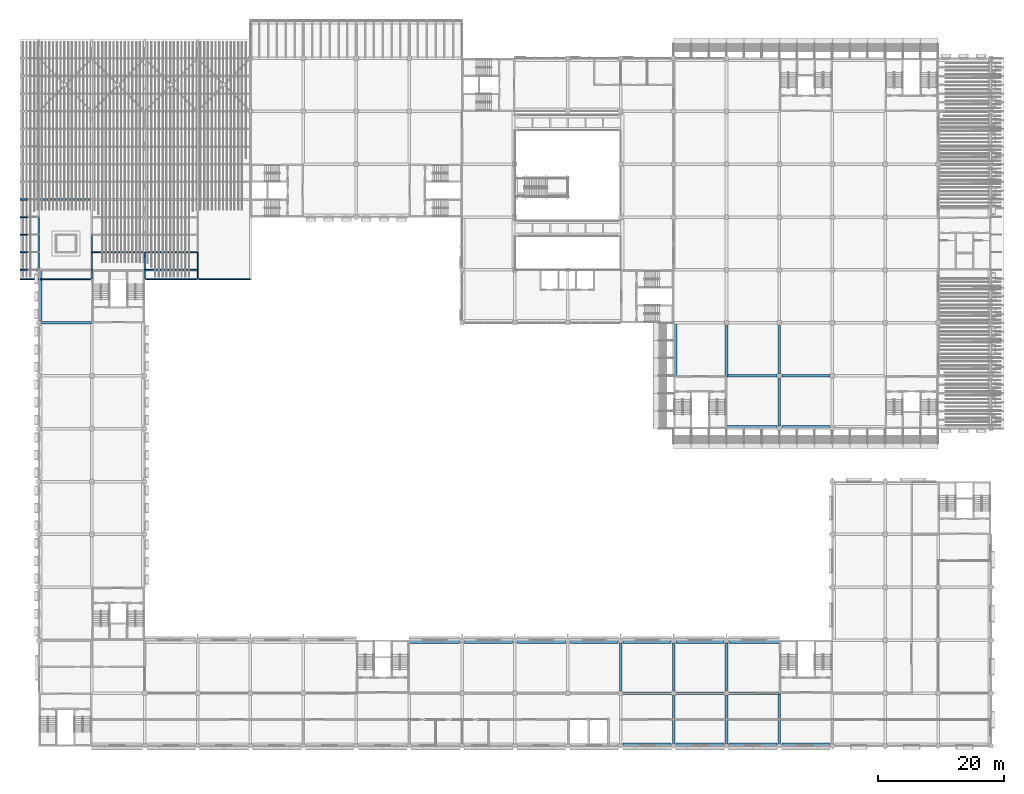
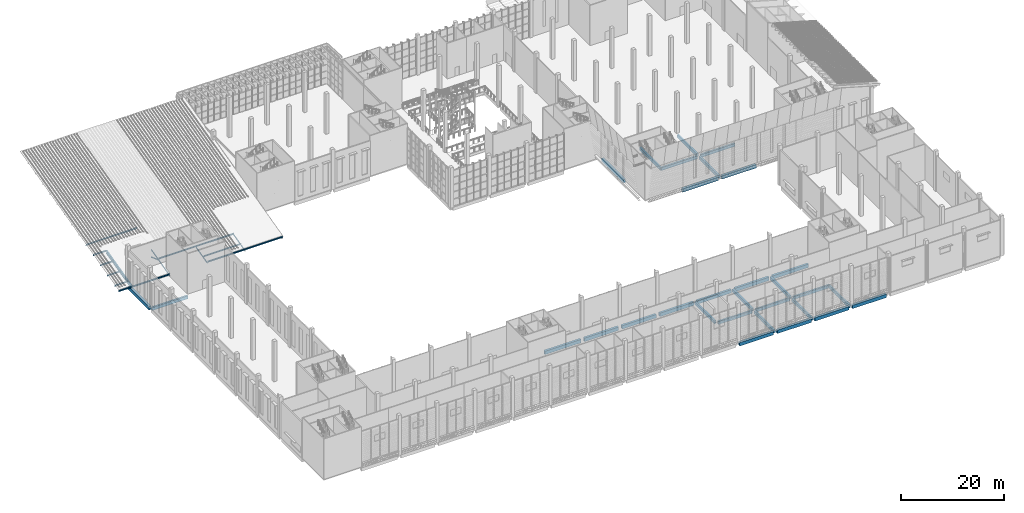
# One storey, part 4 of 114: 31 beams, 21 members.
"""IFC4 building model written with IfcOpenShell, lengths in metres."""

from ifc_helpers import new_model, si_unit, direction, frame, origin, origin_2d, place, context, subcontext, project, spatial, rectangle, hollow_rectangle, i_section, extrude, material, material_profile, profile_set, type_object, element, save


model = new_model("IFC4")

# Units and contexts
model_context = context("Model", 3, precision=1e-05, world=origin(), true_north=direction((0.0, 1.0)))
body_context = subcontext(model_context, "Body", "Model", "MODEL_VIEW")
ifc_project = project(units=[si_unit("LENGTHUNIT", "METRE"), si_unit("AREAUNIT", "SQUARE_METRE"), si_unit("VOLUMEUNIT", "CUBIC_METRE"), si_unit("PLANEANGLEUNIT", "RADIAN"), si_unit("MASSUNIT", "GRAM", prefix="KILO")], contexts=[model_context])

# Site, building, storey
site_placement = place(None, origin())
site = spatial("IfcSite", under=ifc_project, at=site_placement, CompositionType="ELEMENT")
building_placement = place(site_placement, origin())
building = spatial("IfcBuilding", under=site, at=building_placement, Name="Almond Square Museum", CompositionType="ELEMENT")
storey_placement = place(building_placement, frame((0.0, 0.0, 10.5)))
storey = spatial("IfcBuildingStorey", under=building, at=storey_placement, Name="L02", CompositionType="ELEMENT", Elevation=10.5)

# Beams
ifc_material_1 = material(Name="Concrete C40/50", Category="concrete")
ifc_material_profile_1 = material_profile(ifc_material_1, rectangle(XDim=0.39990234375, YDim=0.699951171875, at=origin_2d()))
ifc_profile_set_1 = profile_set([ifc_material_profile_1], Name="Concrete C40/50")
beam_type_1 = type_object("IfcBeamType", Name="RC beam 400 x 700 C40/50", PredefinedType="BEAM", material=ifc_profile_set_1)
beam_1_placement = place(storey_placement, frame((98.800048828125, 8.39990234375, -0.60009765625), z_axis=(1.0, 0.0, 0.0), x_axis=(0.0, 1.0, 0.0)))
element("IfcBeam", 1, at=beam_1_placement, inside=storey, type_object=beam_type_1, Name="Beam B 13-14 L02", PredefinedType="BEAM", context=body_context, shape_type="SweptSolid", body=[
    extrude(rectangle(XDim=0.39990234375, YDim=0.699951171875, at=origin_2d()), origin(), (0.0, 0.0, 1.0), 7.599853515625),
])
beam_2_placement = place(storey_placement, frame((107.199951171875, 8.39990234375, -0.60009765625), z_axis=(1.0, 0.0, 0.0), x_axis=(0.0, 1.0, 0.0)))
element("IfcBeam", 2, at=beam_2_placement, inside=storey, type_object=beam_type_1, Name="Beam B 14-15 L02", PredefinedType="BEAM", context=body_context, shape_type="SweptSolid", body=[
    extrude(rectangle(XDim=0.39990234375, YDim=0.699951171875, at=origin_2d()), origin(), (0.0, 0.0, 1.0), 7.60009765625),
])
for number, where, z_axis, x_axis, name in (
    (3, (115.60009765625, 8.39990234375, -0.60009765625), (1.0, 0.0, 0.0), (0.0, 1.0, 0.0), "Beam B 15-16 L02"),
    (4, (115.199951171875, 58.800048828125, -0.60009765625), (1.0, 0.0, 0.0), (0.0, 1.0, 0.0), "Beam H 15-16 L02"),
):
    element("IfcBeam", number, at=place(storey_placement, frame(where, z_axis=z_axis, x_axis=x_axis)), inside=storey, type_object=beam_type_1, Name=name, PredefinedType="BEAM", context=body_context, shape_type="SweptSolid", body=[
        extrude(rectangle(XDim=0.39990234375, YDim=0.699951171875, at=origin_2d()), origin(), (0.0, 0.0, 1.0), 8.0),
    ])
beam_3_placement = place(storey_placement, frame((124.0, 58.800048828125, -0.60009765625), z_axis=(1.0, 0.0, 0.0), x_axis=(0.0, 1.0, 0.0)))
element("IfcBeam", 5, at=beam_3_placement, inside=storey, type_object=beam_type_1, Name="Beam H 16-17 L02", PredefinedType="BEAM", context=body_context, shape_type="SweptSolid", body=[
    extrude(rectangle(XDim=0.39990234375, YDim=0.699951171875, at=origin_2d()), origin(), (0.0, 0.0, 1.0), 7.60009765625),
])
beam_4_placement = place(storey_placement, frame((6.39990234375, 67.199951171875, -0.60009765625), z_axis=(1.0, 0.0, 0.0), x_axis=(0.0, 1.0, 0.0)))
element("IfcBeam", 6, at=beam_4_placement, inside=storey, type_object=beam_type_1, Name="Beam I 2-3 L02", PredefinedType="BEAM", context=body_context, shape_type="SweptSolid", body=[
    extrude(rectangle(XDim=0.39990234375, YDim=0.699951171875, at=origin_2d()), origin(), (0.0, 0.0, 1.0), 8.0),
])
beam_5_placement = place(storey_placement, frame((98.39990234375, 8.800048828125, -0.60009765625), z_axis=(0.0, 1.0, 0.0), x_axis=(-1.0, 0.0, 0.0)))
element("IfcBeam", 7, at=beam_5_placement, inside=storey, type_object=beam_type_1, Name="Beam 13 B-C L02", PredefinedType="BEAM", context=body_context, shape_type="SweptSolid", body=[
    extrude(rectangle(XDim=0.39990234375, YDim=0.699951171875, at=origin_2d()), origin(), (0.0, 0.0, 1.0), 7.599853515625),
])
beam_6_placement = place(storey_placement, frame((106.800048828125, 0.39990234375, -0.60009765625), z_axis=(0.0, 1.0, 0.0), x_axis=(-1.0, 0.0, 0.0)))
element("IfcBeam", 8, at=beam_6_placement, inside=storey, type_object=beam_type_1, Name="Beam 14 A-B L02", PredefinedType="BEAM", context=body_context, shape_type="SweptSolid", body=[
    extrude(rectangle(XDim=0.39990234375, YDim=0.699951171875, at=origin_2d()), origin(), (0.0, 0.0, 1.0), 7.60009765625),
])
beam_7_placement = place(storey_placement, frame((106.800048828125, 8.800048828125, -0.60009765625), z_axis=(0.0, 1.0, 0.0), x_axis=(-1.0, 0.0, 0.0)))
element("IfcBeam", 9, at=beam_7_placement, inside=storey, type_object=beam_type_1, Name="Beam 14 B-C L02", PredefinedType="BEAM", context=body_context, shape_type="SweptSolid", body=[
    extrude(rectangle(XDim=0.39990234375, YDim=0.699951171875, at=origin_2d()), origin(), (0.0, 0.0, 1.0), 7.599853515625),
])
beam_8_placement = place(storey_placement, frame((115.199951171875, 0.39990234375, -0.60009765625), z_axis=(0.0, 1.0, 0.0), x_axis=(-1.0, 0.0, 0.0)))
element("IfcBeam", 10, at=beam_8_placement, inside=storey, type_object=beam_type_1, Name="Beam 15 A-B L02", PredefinedType="BEAM", context=body_context, shape_type="SweptSolid", body=[
    extrude(rectangle(XDim=0.39990234375, YDim=0.699951171875, at=origin_2d()), origin(), (0.0, 0.0, 1.0), 7.60009765625),
])
beam_9_placement = place(storey_placement, frame((115.199951171875, 8.800048828125, -0.60009765625), z_axis=(0.0, 1.0, 0.0), x_axis=(-1.0, 0.0, 0.0)))
element("IfcBeam", 11, at=beam_9_placement, inside=storey, type_object=beam_type_1, Name="Beam 15 B-C L02", PredefinedType="BEAM", context=body_context, shape_type="SweptSolid", body=[
    extrude(rectangle(XDim=0.39990234375, YDim=0.699951171875, at=origin_2d()), origin(), (0.0, 0.0, 1.0), 7.599853515625),
])
for number, where, z_axis, x_axis, name in (
    (12, (115.199951171875, 58.800048828125, -0.60009765625), (0.0, 1.0, 0.0), (-1.0, 0.0, 0.0), "Beam 15 H-I L02"),
    (13, (123.60009765625, 0.39990234375, -0.60009765625), (0.0, 1.0, 0.0), (-1.0, 0.0, 0.0), "Beam 16 A-B L02"),
):
    element("IfcBeam", number, at=place(storey_placement, frame(where, z_axis=z_axis, x_axis=x_axis)), inside=storey, type_object=beam_type_1, Name=name, PredefinedType="BEAM", context=body_context, shape_type="SweptSolid", body=[
        extrude(rectangle(XDim=0.39990234375, YDim=0.699951171875, at=origin_2d()), origin(), (0.0, 0.0, 1.0), 8.0),
    ])
beam_10_placement = place(storey_placement, frame((123.60009765625, 50.800048828125, -0.60009765625), z_axis=(0.0, 1.0, 0.0), x_axis=(-1.0, 0.0, 0.0)))
element("IfcBeam", 14, at=beam_10_placement, inside=storey, type_object=beam_type_1, Name="Beam 16 G-H L02", PredefinedType="BEAM", context=body_context, shape_type="SweptSolid", body=[
    extrude(rectangle(XDim=0.39990234375, YDim=0.699951171875, at=origin_2d()), origin(), (0.0, 0.0, 1.0), 7.599853515625),
])
beam_11_placement = place(storey_placement, frame((123.60009765625, 59.199951171875, -0.60009765625), z_axis=(0.0, 1.0, 0.0), x_axis=(-1.0, 0.0, 0.0)))
element("IfcBeam", 15, at=beam_11_placement, inside=storey, type_object=beam_type_1, Name="Beam 16 H-I L02", PredefinedType="BEAM", context=body_context, shape_type="SweptSolid", body=[
    extrude(rectangle(XDim=0.39990234375, YDim=0.699951171875, at=origin_2d()), origin(), (0.0, 0.0, 1.0), 7.60009765625),
])
ifc_material_2 = material(Name="Concrete C40/50", Category="concrete")
ifc_material_profile_2 = material_profile(ifc_material_2, rectangle(XDim=0.5, YDim=0.800048828125, at=origin_2d()))
ifc_profile_set_2 = profile_set([ifc_material_profile_2], Name="Concrete C40/50")
beam_type_2 = type_object("IfcBeamType", Name="RC edge beam 500 x 800 C40/50", PredefinedType="BEAM", material=ifc_profile_set_2)
beam_12_placement = place(storey_placement, frame((98.800048828125, 0.25, -0.64990234375), z_axis=(1.0, 0.0, 0.0), x_axis=(0.0, 1.0, 0.0)))
element("IfcBeam", 16, at=beam_12_placement, inside=storey, type_object=beam_type_2, Name="Edge beam A 13-14 L02", PredefinedType="BEAM", context=body_context, shape_type="SweptSolid", body=[
    extrude(rectangle(XDim=0.5, YDim=0.800048828125, at=origin_2d()), origin(), (0.0, 0.0, 1.0), 7.599853515625),
])
beam_13_placement = place(storey_placement, frame((107.199951171875, 0.25, -0.64990234375), z_axis=(1.0, 0.0, 0.0), x_axis=(0.0, 1.0, 0.0)))
element("IfcBeam", 17, at=beam_13_placement, inside=storey, type_object=beam_type_2, Name="Edge beam A 14-15 L02", PredefinedType="BEAM", context=body_context, shape_type="SweptSolid", body=[
    extrude(rectangle(XDim=0.5, YDim=0.800048828125, at=origin_2d()), origin(), (0.0, 0.0, 1.0), 7.60009765625),
])
beam_14_placement = place(storey_placement, frame((115.60009765625, 0.25, -0.64990234375), z_axis=(1.0, 0.0, 0.0), x_axis=(0.0, 1.0, 0.0)))
element("IfcBeam", 18, at=beam_14_placement, inside=storey, type_object=beam_type_2, Name="Edge beam A 15-16 L02", PredefinedType="BEAM", context=body_context, shape_type="SweptSolid", body=[
    extrude(rectangle(XDim=0.5, YDim=0.800048828125, at=origin_2d()), origin(), (0.0, 0.0, 1.0), 7.599853515625),
])
beam_15_placement = place(storey_placement, frame((124.0, 0.25, -0.64990234375), z_axis=(1.0, 0.0, 0.0), x_axis=(0.0, 1.0, 0.0)))
element("IfcBeam", 19, at=beam_15_placement, inside=storey, type_object=beam_type_2, Name="Edge beam A 16-17 L02", PredefinedType="BEAM", context=body_context, shape_type="SweptSolid", body=[
    extrude(rectangle(XDim=0.5, YDim=0.800048828125, at=origin_2d()), origin(), (0.0, 0.0, 1.0), 7.60009765625),
])
beam_16_placement = place(storey_placement, frame((64.800048828125, 16.550048828125, -0.64990234375), z_axis=(1.0, 0.0, 0.0), x_axis=(0.0, 1.0, 0.0)))
element("IfcBeam", 20, at=beam_16_placement, inside=storey, type_object=beam_type_2, Name="Edge beam C 9-10 L02", PredefinedType="BEAM", context=body_context, shape_type="SweptSolid", body=[
    extrude(rectangle(XDim=0.5, YDim=0.800048828125, at=origin_2d()), origin(), (0.0, 0.0, 1.0), 8.0),
])
beam_17_placement = place(storey_placement, frame((73.60009765625, 16.550048828125, -0.64990234375), z_axis=(1.0, 0.0, 0.0), x_axis=(0.0, 1.0, 0.0)))
element("IfcBeam", 21, at=beam_17_placement, inside=storey, type_object=beam_type_2, Name="Edge beam C 10-11 L02", PredefinedType="BEAM", context=body_context, shape_type="SweptSolid", body=[
    extrude(rectangle(XDim=0.5, YDim=0.800048828125, at=origin_2d()), origin(), (0.0, 0.0, 1.0), 7.599853515625),
])
for number, where, z_axis, x_axis, name in (
    (22, (82.0, 16.550048828125, -0.64990234375), (1.0, 0.0, 0.0), (0.0, 1.0, 0.0), "Edge beam C 11-12 L02"),
    (23, (90.39990234375, 16.550048828125, -0.64990234375), (1.0, 0.0, 0.0), (0.0, 1.0, 0.0), "Edge beam C 12-13 L02"),
):
    element("IfcBeam", number, at=place(storey_placement, frame(where, z_axis=z_axis, x_axis=x_axis)), inside=storey, type_object=beam_type_2, Name=name, PredefinedType="BEAM", context=body_context, shape_type="SweptSolid", body=[
        extrude(rectangle(XDim=0.5, YDim=0.800048828125, at=origin_2d()), origin(), (0.0, 0.0, 1.0), 7.60009765625),
    ])
beam_18_placement = place(storey_placement, frame((98.800048828125, 16.550048828125, -0.64990234375), z_axis=(1.0, 0.0, 0.0), x_axis=(0.0, 1.0, 0.0)))
element("IfcBeam", 24, at=beam_18_placement, inside=storey, type_object=beam_type_2, Name="Edge beam C 13-14 L02", PredefinedType="BEAM", context=body_context, shape_type="SweptSolid", body=[
    extrude(rectangle(XDim=0.5, YDim=0.800048828125, at=origin_2d()), origin(), (0.0, 0.0, 1.0), 7.599853515625),
])
beam_19_placement = place(storey_placement, frame((107.199951171875, 16.550048828125, -0.64990234375), z_axis=(1.0, 0.0, 0.0), x_axis=(0.0, 1.0, 0.0)))
element("IfcBeam", 25, at=beam_19_placement, inside=storey, type_object=beam_type_2, Name="Edge beam C 14-15 L02", PredefinedType="BEAM", context=body_context, shape_type="SweptSolid", body=[
    extrude(rectangle(XDim=0.5, YDim=0.800048828125, at=origin_2d()), origin(), (0.0, 0.0, 1.0), 7.60009765625),
])
for number, where, z_axis, x_axis, name in (
    (26, (115.60009765625, 16.550048828125, -0.64990234375), (1.0, 0.0, 0.0), (0.0, 1.0, 0.0), "Edge beam C 15-16 L02"),
    (27, (115.199951171875, 50.64990234375, -0.64990234375), (1.0, 0.0, 0.0), (0.0, 1.0, 0.0), "Edge beam G 15-16 L02"),
):
    element("IfcBeam", number, at=place(storey_placement, frame(where, z_axis=z_axis, x_axis=x_axis)), inside=storey, type_object=beam_type_2, Name=name, PredefinedType="BEAM", context=body_context, shape_type="SweptSolid", body=[
        extrude(rectangle(XDim=0.5, YDim=0.800048828125, at=origin_2d()), origin(), (0.0, 0.0, 1.0), 8.0),
    ])
beam_20_placement = place(storey_placement, frame((124.0, 50.64990234375, -0.64990234375), z_axis=(1.0, 0.0, 0.0), x_axis=(0.0, 1.0, 0.0)))
element("IfcBeam", 28, at=beam_20_placement, inside=storey, type_object=beam_type_2, Name="Edge beam G 16-17 L02", PredefinedType="BEAM", context=body_context, shape_type="SweptSolid", body=[
    extrude(rectangle(XDim=0.5, YDim=0.800048828125, at=origin_2d()), origin(), (0.0, 0.0, 1.0), 7.60009765625),
])
beam_21_placement = place(storey_placement, frame((6.25, 67.60009765625, -0.64990234375), z_axis=(0.0, 1.0, 0.0), x_axis=(-1.0, 0.0, 0.0)))
element("IfcBeam", 29, at=beam_21_placement, inside=storey, type_object=beam_type_2, Name="Edge beam 2 I-J L02", PredefinedType="BEAM", context=body_context, shape_type="SweptSolid", body=[
    extrude(rectangle(XDim=0.5, YDim=0.800048828125, at=origin_2d()), origin(), (0.0, 0.0, 1.0), 8.0),
])
beam_22_placement = place(storey_placement, frame((107.050048828125, 58.800048828125, -0.64990234375), z_axis=(0.0, 1.0, 0.0), x_axis=(-1.0, 0.0, 0.0)))
element("IfcBeam", 30, at=beam_22_placement, inside=storey, type_object=beam_type_2, Name="Edge beam 14 H-I L02", PredefinedType="BEAM", context=body_context, shape_type="SweptSolid", body=[
    extrude(rectangle(XDim=0.5, YDim=0.800048828125, at=origin_2d()), origin(), (0.0, 0.0, 1.0), 8.39990234375),
])
ifc_material_3 = material(Name="Structural steel S355", Category="steel")
ifc_material_profile_3 = material_profile(ifc_material_3, i_section(OverallWidth=0.26708984375, OverallDepth=0.75390625, WebThickness=0.01318359375, FlangeThickness=0.01708984375, at=origin_2d()))
ifc_profile_set_3 = profile_set([ifc_material_profile_3], Name="Structural steel S355")
beam_type_3 = type_object("IfcBeamType", Name="Roof beam W760x147", PredefinedType="BEAM", material=ifc_profile_set_3)
beam_23_placement = place(storey_placement, frame((6.0, 74.10009765625, 0.32861328125), z_axis=(0.0, 0.969460854952, 0.245246102345), x_axis=(-1.0, 0.0, 0.0)))
element("IfcBeam", 31, at=beam_23_placement, inside=storey, type_object=beam_type_3, Name="Auditorium edge beam 1.1", PredefinedType="BEAM", context=body_context, shape_type="SweptSolid", body=[
    extrude(i_section(OverallWidth=0.26708984375, OverallDepth=0.75390625, WebThickness=0.01318359375, FlangeThickness=0.01708984375, at=origin_2d()), origin(), (0.0, 0.0, 1.0), 10.211669921875),
])

# Members
ifc_material_4 = material(Name="Structural steel S355", Category="steel")
ifc_material_profile_4 = material_profile(ifc_material_4, i_section(OverallWidth=0.1708984375, OverallDepth=0.35595703125, WebThickness=0.00732421875, FlangeThickness=0.01171875, at=origin_2d()))
ifc_profile_set_4 = profile_set([ifc_material_profile_4], Name="Structural steel S355")
member_type_1 = type_object("IfcMemberType", Name="Steel purlin W360x51", PredefinedType="PURLIN", material=ifc_profile_set_4)
for number, where, z_axis, x_axis, name in (
    (32, (6.0, 74.10009765625, 0.53369140625), (1.0, 0.0, 0.0), (0.0, 0.969459905022, 0.245249857402), "Auditorium purlin 1.1"),
    (33, (22.800048828125, 74.10009765625, 0.53369140625), (1.0, 0.0, 0.0), (0.0, 0.969459905022, 0.245249857402), "Auditorium purlin 1.3"),
):
    element("IfcMember", number, at=place(storey_placement, frame(where, z_axis=z_axis, x_axis=x_axis)), inside=storey, type_object=member_type_1, Name=name, PredefinedType="PURLIN", context=body_context, shape_type="SweptSolid", body=[
        extrude(i_section(OverallWidth=0.1708984375, OverallDepth=0.35595703125, WebThickness=0.00732421875, FlangeThickness=0.01171875, at=origin_2d()), origin(), (0.0, 0.0, 1.0), 8.39990234375),
    ])
member_1_placement = place(storey_placement, frame((31.199951171875, 74.10009765625, 0.53369140625), z_axis=(1.0, 0.0, 0.0), x_axis=(0.0, 0.969459905022, 0.245249857402)))
element("IfcMember", 34, at=member_1_placement, inside=storey, type_object=member_type_1, Name="Auditorium purlin 1.4", PredefinedType="PURLIN", context=body_context, shape_type="SweptSolid", body=[
    extrude(i_section(OverallWidth=0.1708984375, OverallDepth=0.35595703125, WebThickness=0.00732421875, FlangeThickness=0.01171875, at=origin_2d()), origin(), (0.0, 0.0, 1.0), 8.400146484375),
])
member_2_placement = place(storey_placement, frame((22.800048828125, 75.60009765625, 0.9130859375), z_axis=(1.0, 0.0, 0.0), x_axis=(0.0, 0.969459905022, 0.245249857402)))
element("IfcMember", 35, at=member_2_placement, inside=storey, type_object=member_type_1, Name="Auditorium purlin 2.3", PredefinedType="PURLIN", context=body_context, shape_type="SweptSolid", body=[
    extrude(i_section(OverallWidth=0.1708984375, OverallDepth=0.35595703125, WebThickness=0.00732421875, FlangeThickness=0.01171875, at=origin_2d()), origin(), (0.0, 0.0, 1.0), 8.39990234375),
])
member_3_placement = place(storey_placement, frame((14.39990234375, 78.39990234375, 1.62158203125), z_axis=(1.0, 0.0, 0.0), x_axis=(0.0, 0.969459905022, 0.245249857402)))
element("IfcMember", 36, at=member_3_placement, inside=storey, type_object=member_type_1, Name="Auditorium purlin 3.2", PredefinedType="PURLIN", context=body_context, shape_type="SweptSolid", body=[
    extrude(i_section(OverallWidth=0.1708984375, OverallDepth=0.35595703125, WebThickness=0.00732421875, FlangeThickness=0.01171875, at=origin_2d()), origin(), (0.0, 0.0, 1.0), 8.400146484375),
])
for number, where, z_axis, x_axis, name in (
    (37, (22.800048828125, 78.39990234375, 1.62158203125), (1.0, 0.0, 0.0), (0.0, 0.969459905022, 0.245249857402), "Auditorium purlin 3.3"),
    (38, (6.0, 86.800048828125, 3.74658203125), (1.0, 0.0, 0.0), (0.0, 0.969459905022, 0.245249857402), "Auditorium purlin 6.1"),
):
    element("IfcMember", number, at=place(storey_placement, frame(where, z_axis=z_axis, x_axis=x_axis)), inside=storey, type_object=member_type_1, Name=name, PredefinedType="PURLIN", context=body_context, shape_type="SweptSolid", body=[
        extrude(i_section(OverallWidth=0.1708984375, OverallDepth=0.35595703125, WebThickness=0.00732421875, FlangeThickness=0.01171875, at=origin_2d()), origin(), (0.0, 0.0, 1.0), 8.39990234375),
    ])
for number, where, z_axis, x_axis, name in (
    (39, (3.0, 74.10009765625, 0.53369140625), (1.0, 0.0, 0.0), (0.0, 0.969459905022, 0.245249857402), "Auditorium west eave purlin 1"),
    (40, (3.0, 75.60009765625, 0.9130859375), (1.0, 0.0, 0.0), (0.0, 0.969459905022, 0.245249857402), "Auditorium west eave purlin 2"),
    (41, (3.0, 78.39990234375, 1.62158203125), (1.0, 0.0, 0.0), (0.0, 0.969459905022, 0.245249857402), "Auditorium west eave purlin 3"),
    (42, (3.0, 81.199951171875, 2.329833984375), (1.0, 0.0, 0.0), (0.0, 0.969459905022, 0.245249857402), "Auditorium west eave purlin 4"),
    (43, (3.0, 84.0, 3.0380859375), (1.0, 0.0, 0.0), (0.0, 0.969459905022, 0.245249857402), "Auditorium west eave purlin 5"),
    (44, (3.0, 86.800048828125, 3.74658203125), (1.0, 0.0, 0.0), (0.0, 0.969459905022, 0.245249857402), "Auditorium west eave purlin 6"),
):
    element("IfcMember", number, at=place(storey_placement, frame(where, z_axis=z_axis, x_axis=x_axis)), inside=storey, type_object=member_type_1, Name=name, PredefinedType="PURLIN", context=body_context, shape_type="SweptSolid", body=[
        extrude(i_section(OverallWidth=0.1708984375, OverallDepth=0.35595703125, WebThickness=0.00732421875, FlangeThickness=0.01171875, at=origin_2d()), origin(), (0.0, 0.0, 1.0), 3.0),
    ])
ifc_material_5 = material(Name="Structural steel S355", Category="steel")
ifc_material_profile_5 = material_profile(ifc_material_5, hollow_rectangle(XDim=0.14990234375, YDim=0.25, WallThickness=0.010009765625, InnerFilletRadius=0.014892578125, OuterFilletRadius=0.02490234375, at=origin_2d()))
ifc_profile_set_5 = profile_set([ifc_material_profile_5], Name="Structural steel S355")
member_type_2 = type_object("IfcMemberType", Name="Truss chord RHS 250x150x10", PredefinedType="CHORD", material=ifc_profile_set_5)
member_4_placement = place(storey_placement, frame((14.39990234375, 75.60009765625, 0.6044921875), z_axis=(0.0, 0.969442336657, 0.245319293772), x_axis=(-1.0, 0.0, 0.0)))
element("IfcMember", 45, at=member_4_placement, inside=storey, type_object=member_type_2, Name="TR-13 top chord 1", PredefinedType="CHORD", context=body_context, shape_type="SweptSolid", body=[
    extrude(hollow_rectangle(XDim=0.14990234375, YDim=0.25, WallThickness=0.010009765625, InnerFilletRadius=0.014892578125, OuterFilletRadius=0.02490234375, at=origin_2d()), origin(), (0.0, 0.0, 1.0), 2.887939453125),
])
member_5_placement = place(storey_placement, frame((14.39990234375, 78.39990234375, 1.31298828125), z_axis=(0.0, 0.969467521681, 0.245219747179), x_axis=(-1.0, 0.0, 0.0)))
element("IfcMember", 46, at=member_5_placement, inside=storey, type_object=member_type_2, Name="TR-13 top chord 2", PredefinedType="CHORD", context=body_context, shape_type="SweptSolid", body=[
    extrude(hollow_rectangle(XDim=0.14990234375, YDim=0.25, WallThickness=0.010009765625, InnerFilletRadius=0.014892578125, OuterFilletRadius=0.02490234375, at=origin_2d()), origin(), (0.0, 0.0, 1.0), 2.88818359375),
])
member_6_placement = place(storey_placement, frame((14.39990234375, 74.10009765625, 0.22509765625), z_axis=(0.0, 0.969470524151, 0.245207876714), x_axis=(-1.0, 0.0, 0.0)))
element("IfcMember", 47, at=member_6_placement, inside=storey, type_object=member_type_2, Name="Auditorium truss 1 eave chord", PredefinedType="CHORD", context=body_context, shape_type="SweptSolid", body=[
    extrude(hollow_rectangle(XDim=0.14990234375, YDim=0.25, WallThickness=0.010009765625, InnerFilletRadius=0.014892578125, OuterFilletRadius=0.02490234375, at=origin_2d()), origin(), (0.0, 0.0, 1.0), 1.547119140625),
])
member_7_placement = place(storey_placement, frame((22.800048828125, 75.60009765625, 0.6044921875), z_axis=(0.0, 0.969442336657, 0.245319293772), x_axis=(-1.0, 0.0, 0.0)))
element("IfcMember", 48, at=member_7_placement, inside=storey, type_object=member_type_2, Name="TR-14 top chord 1", PredefinedType="CHORD", context=body_context, shape_type="SweptSolid", body=[
    extrude(hollow_rectangle(XDim=0.14990234375, YDim=0.25, WallThickness=0.010009765625, InnerFilletRadius=0.014892578125, OuterFilletRadius=0.02490234375, at=origin_2d()), origin(), (0.0, 0.0, 1.0), 2.887939453125),
])
member_8_placement = place(storey_placement, frame((22.800048828125, 74.10009765625, 0.22509765625), z_axis=(0.0, 0.969470524151, 0.245207876714), x_axis=(-1.0, 0.0, 0.0)))
element("IfcMember", 49, at=member_8_placement, inside=storey, type_object=member_type_2, Name="Auditorium truss 2 eave chord", PredefinedType="CHORD", context=body_context, shape_type="SweptSolid", body=[
    extrude(hollow_rectangle(XDim=0.14990234375, YDim=0.25, WallThickness=0.010009765625, InnerFilletRadius=0.014892578125, OuterFilletRadius=0.02490234375, at=origin_2d()), origin(), (0.0, 0.0, 1.0), 1.547119140625),
])
member_9_placement = place(storey_placement, frame((31.199951171875, 75.60009765625, 0.6044921875), z_axis=(0.0, 0.969442336657, 0.245319293772), x_axis=(-1.0, 0.0, 0.0)))
element("IfcMember", 50, at=member_9_placement, inside=storey, type_object=member_type_2, Name="TR-15 top chord 1", PredefinedType="CHORD", context=body_context, shape_type="SweptSolid", body=[
    extrude(hollow_rectangle(XDim=0.14990234375, YDim=0.25, WallThickness=0.010009765625, InnerFilletRadius=0.014892578125, OuterFilletRadius=0.02490234375, at=origin_2d()), origin(), (0.0, 0.0, 1.0), 2.887939453125),
])
member_10_placement = place(storey_placement, frame((31.199951171875, 74.10009765625, 0.22509765625), z_axis=(0.0, 0.969470524151, 0.245207876714), x_axis=(-1.0, 0.0, 0.0)))
element("IfcMember", 51, at=member_10_placement, inside=storey, type_object=member_type_2, Name="Auditorium truss 3 eave chord", PredefinedType="CHORD", context=body_context, shape_type="SweptSolid", body=[
    extrude(hollow_rectangle(XDim=0.14990234375, YDim=0.25, WallThickness=0.010009765625, InnerFilletRadius=0.014892578125, OuterFilletRadius=0.02490234375, at=origin_2d()), origin(), (0.0, 0.0, 1.0), 1.547119140625),
])
ifc_material_6 = material(Name="Structural steel S355", Category="steel")
ifc_material_profile_6 = material_profile(ifc_material_6, hollow_rectangle(XDim=0.199951171875, YDim=0.199951171875, WallThickness=0.010009765625, InnerFilletRadius=0.014892578125, OuterFilletRadius=0.02490234375, at=origin_2d()))
ifc_profile_set_6 = profile_set([ifc_material_profile_6], Name="Structural steel S355")
member_type_3 = type_object("IfcMemberType", Name="Truss diagonal SHS 200x200x10", PredefinedType="BRACE", material=ifc_profile_set_6)
member_11_placement = place(storey_placement, frame((14.39990234375, 78.39990234375, 1.31298828125), z_axis=(0.0, 0.937236136552, -0.348695317348), x_axis=(-1.0, 0.0, 0.0)))
element("IfcMember", 52, at=member_11_placement, inside=storey, type_object=member_type_3, Name="TR-13 diagonal 2", PredefinedType="BRACE", context=body_context, shape_type="SweptSolid", body=[
    extrude(hollow_rectangle(XDim=0.199951171875, YDim=0.199951171875, WallThickness=0.010009765625, InnerFilletRadius=0.014892578125, OuterFilletRadius=0.02490234375, at=origin_2d()), origin(), (0.0, 0.0, 1.0), 2.987548828125),
])

save(model, "model.ifc")
